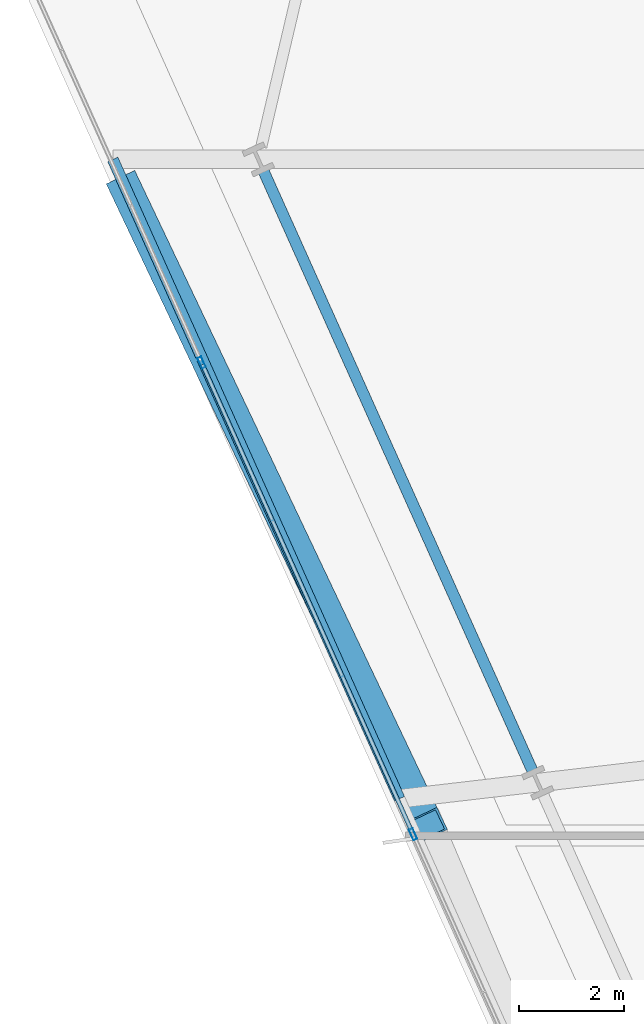
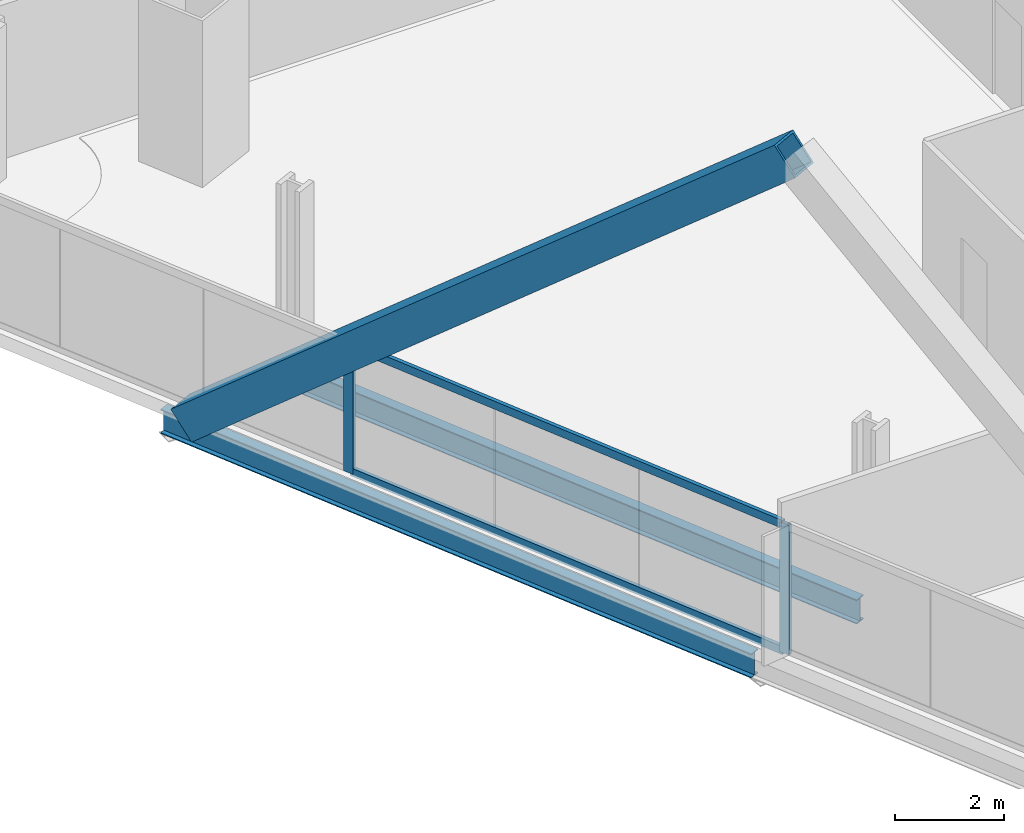
# One storey, part 5 of 38: 5 members, 2 beams, 1 element without a shape of its own.
"""IFC4 building model written with IfcOpenShell, lengths in metres."""

from ifc_helpers import new_model, si_unit, direction, frame, origin, origin_2d, place, context, subcontext, project, spatial, hollow_rectangle, i_section, extrude, material, material_profile, profile_set, type_object, element, aggregate, save


model = new_model("IFC4")

# Units and contexts
model_context = context("Model", 3, precision=1e-05, world=origin(), true_north=direction((0.0, 1.0)))
body_context = subcontext(model_context, "Body", "Model", "MODEL_VIEW")
ifc_project = project(units=[si_unit("LENGTHUNIT", "METRE"), si_unit("AREAUNIT", "SQUARE_METRE"), si_unit("VOLUMEUNIT", "CUBIC_METRE"), si_unit("PLANEANGLEUNIT", "RADIAN"), si_unit("MASSUNIT", "GRAM", prefix="KILO")], contexts=[model_context])

# Site, building, storey
site_placement = place(None, origin())
site = spatial("IfcSite", under=ifc_project, at=site_placement, CompositionType="ELEMENT")
building_placement = place(site_placement, origin())
building = spatial("IfcBuilding", under=site, at=building_placement, Name="Haldenkirk Collegiate Tower", CompositionType="ELEMENT")
storey_placement = place(building_placement, frame((0.0, 0.0, 109.199951171875)))
storey = spatial("IfcBuildingStorey", under=building, at=storey_placement, Name="L26", CompositionType="ELEMENT", Elevation=109.199951171875)

# Beams
ifc_material_1 = material(Name="Steel ASTM A992 Grade 50", Category="steel")
ifc_material_profile_1 = material_profile(ifc_material_1, i_section(OverallWidth=0.2119140625, OverallDepth=0.5439453125, WebThickness=0.01318359375, FlangeThickness=0.021240234375, at=origin_2d()), Name="W21X83")
ifc_profile_set_1 = profile_set([ifc_material_profile_1], Name="Steel ASTM A992 Grade 50")
beam_type = type_object("IfcBeamType", Name="BM-SPANDREL-W21X83", PredefinedType="SPANDREL", material=ifc_profile_set_1)
beam_1_placement = place(storey_placement, frame((9.418212890625, 28.212890625, -0.572021484375), z_axis=(0.409115233697, -0.912482726169, 0.0), x_axis=(0.912482726169, 0.409115233697, 0.0)))
element("IfcBeam", 1, at=beam_1_placement, inside=storey, type_object=beam_type, Name="L26 perimeter spandrel beam 14", PredefinedType="SPANDREL", context=body_context, shape_type="SweptSolid", body=[
    extrude(i_section(OverallWidth=0.2119140625, OverallDepth=0.5439453125, WebThickness=0.01318359375, FlangeThickness=0.021240234375, at=origin_2d()), origin(), (0.0, 0.0, 1.0), 12.524169921875),
])
beam_2_placement = place(storey_placement, frame((6.545166015625, 28.436767578125, -0.572021484375), z_axis=(0.409110507602, -0.912484845118, 0.0), x_axis=(0.912484845118, 0.409110507602, 0.0)))
element("IfcBeam", 2, at=beam_2_placement, inside=storey, type_object=beam_type, Name="L26 outer facade edge beam 4A", PredefinedType="SPANDREL", context=body_context, shape_type="SweptSolid", body=[
    extrude(i_section(OverallWidth=0.2119140625, OverallDepth=0.5439453125, WebThickness=0.01318359375, FlangeThickness=0.021240234375, at=origin_2d()), origin(), (0.0, 0.0, 1.0), 13.351318359375),
])

# Curtain wall, members
ifc_material_2 = material(Name="Anodised architectural bronze aluminium", Category="aluminium")
curtain_wall_type = type_object("IfcCurtainWallType", Name="CW-SYS1-CONVEX-LOW", PredefinedType="USERDEFINED", material=ifc_material_2)
curtain_wall_placement = place(storey_placement, origin())
curtain_wall = element("IfcCurtainWall", 3, at=curtain_wall_placement, inside=storey, type_object=curtain_wall_type, Name="L26 Lower tower convex bronze-framed unitised curtain wall", ObjectType="UNITISED CURTAIN WALL", PredefinedType="USERDEFINED")
ifc_material_profile_2 = material_profile(ifc_material_2, hollow_rectangle(XDim=0.080078125, YDim=0.219970703125, WallThickness=0.0048828125, at=origin_2d()), Name="CW-MUL-1A")
ifc_profile_set_2 = profile_set([ifc_material_profile_2], Name="Anodised architectural bronze aluminium")
member_type_1 = type_object("IfcMemberType", Name="CW-MUL-1A", PredefinedType="MULLION", material=ifc_profile_set_2)
member_1_placement = place(storey_placement, frame((12.2666015625, 15.577880859375, 0.0), z_axis=(0.0, 0.0, 1.0), x_axis=(-0.912477862361, -0.409126081669, 0.0)))
member_1 = element("IfcMember", 4, at=member_1_placement, type_object=member_type_1, Name="CW-1A mullion 3", PredefinedType="MULLION", context=body_context, shape_type="SweptSolid", body=[
    extrude(hollow_rectangle(XDim=0.080078125, YDim=0.219970703125, WallThickness=0.0048828125, at=origin_2d()), origin(), (0.0, 0.0, 1.0), 2.901123046875),
])
member_2_placement = place(storey_placement, frame((8.23681640625, 24.565673828125, 0.0), z_axis=(0.0, 0.0, 1.0), x_axis=(-0.912477862361, -0.409126081669, 0.0)))
member_2 = element("IfcMember", 5, at=member_2_placement, type_object=member_type_1, Name="CW-1A mullion 4", PredefinedType="MULLION", context=body_context, shape_type="SweptSolid", body=[
    extrude(hollow_rectangle(XDim=0.080078125, YDim=0.219970703125, WallThickness=0.0048828125, at=origin_2d()), origin(), (0.0, 0.0, 1.0), 2.901123046875),
])
ifc_material_profile_3 = material_profile(ifc_material_2, hollow_rectangle(XDim=0.080078125, YDim=0.179931640625, WallThickness=0.0048828125, at=origin_2d()), Name="CW-TRN-1A")
ifc_profile_set_3 = profile_set([ifc_material_profile_3], Name="Anodised architectural bronze aluminium")
member_type_2 = type_object("IfcMemberType", Name="CW-TRN-1A", PredefinedType="USERDEFINED", material=ifc_profile_set_3)
member_3_placement = place(storey_placement, frame((12.250244140625, 15.6142578125, 0.0400390625), z_axis=(-0.409113302832, 0.912483591878, 0.0), x_axis=(-0.912483591878, -0.409113302832, 0.0)))
member_3 = element("IfcMember", 6, at=member_3_placement, type_object=member_type_2, Name="CW-1A transom 3.1", ObjectType="TRANSOM", PredefinedType="USERDEFINED", context=body_context, shape_type="SweptSolid", body=[
    extrude(hollow_rectangle(XDim=0.080078125, YDim=0.179931640625, WallThickness=0.0048828125, at=origin_2d()), origin(), (0.0, 0.0, 1.0), 9.77001953125),
])
member_4_placement = place(storey_placement, frame((12.250244140625, 15.6142578125, 2.861083984375), z_axis=(-0.409113302832, 0.912483591878, 0.0), x_axis=(-0.912483591878, -0.409113302832, 0.0)))
member_4 = element("IfcMember", 7, at=member_4_placement, type_object=member_type_2, Name="CW-1A transom 3.2", ObjectType="TRANSOM", PredefinedType="USERDEFINED", context=body_context, shape_type="SweptSolid", body=[
    extrude(hollow_rectangle(XDim=0.080078125, YDim=0.179931640625, WallThickness=0.0048828125, at=origin_2d()), origin(), (0.0, 0.0, 1.0), 9.77001953125),
])
aggregate(curtain_wall, [member_1, member_2, member_3, member_4])

# Member
ifc_material_3 = material(Name="Steel ASTM A572 Grade 50", Category="steel")
ifc_material_profile_4 = material_profile(ifc_material_3, hollow_rectangle(XDim=0.60009765625, YDim=0.719970703125, WallThickness=0.044921875, at=origin_2d()), Name="BOX720X600X45")
ifc_profile_set_4 = profile_set([ifc_material_profile_4], Name="Steel ASTM A572 Grade 50")
member_type_3 = type_object("IfcMemberType", Name="MBR-MEGABRACE-BOX720X600X45", PredefinedType="BRACE", material=ifc_profile_set_4)
member_5_placement = place(storey_placement, frame((6.79052734375, 27.889404296875, -0.31005859375), z_axis=(0.328650882287, -0.692690006595, 0.64200401271), x_axis=(0.903467918553, 0.428655712835, 0.0)))
element("IfcMember", 8, at=member_5_placement, inside=storey, type_object=member_type_3, Name="Perimeter Mega Brace Z2 L26-L28 WL", PredefinedType="BRACE", context=body_context, shape_type="SweptSolid", body=[
    extrude(hollow_rectangle(XDim=0.60009765625, YDim=0.719970703125, WallThickness=0.044921875, at=origin_2d()), origin(), (0.0, 0.0, 1.0), 17.523193359375),
])

save(model, "model.ifc")
